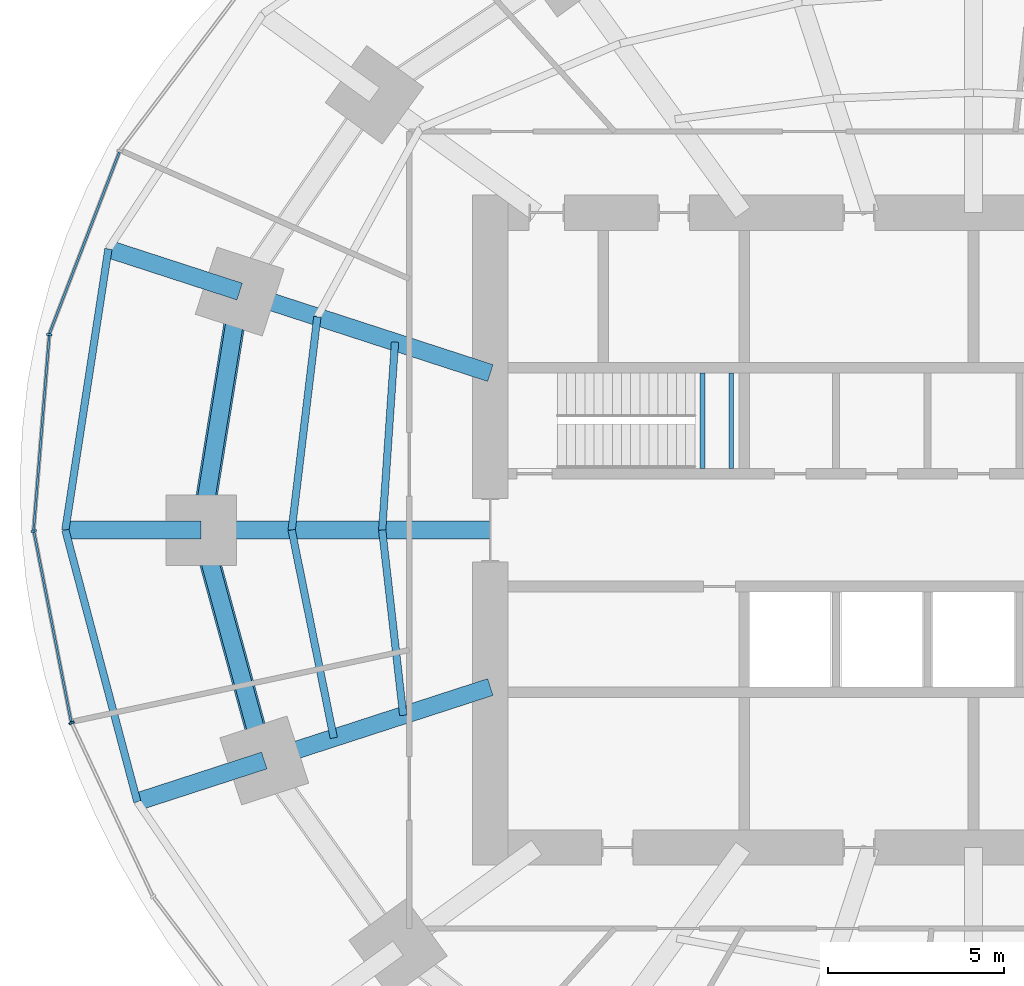
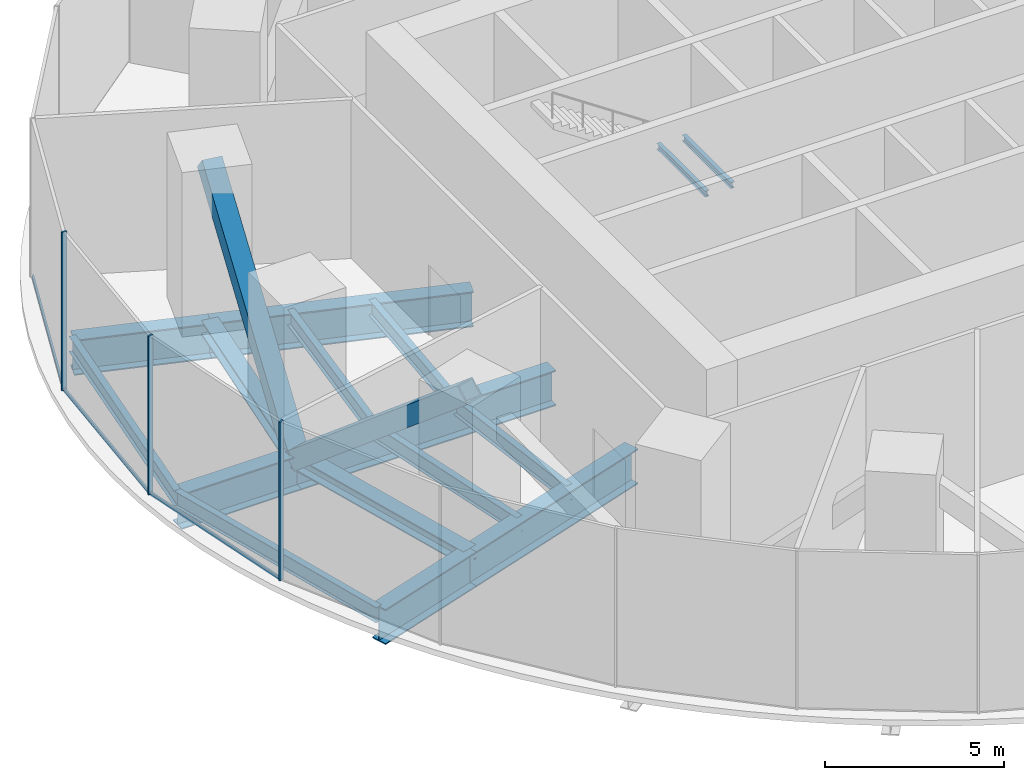
# One storey, part 4 of 13: 14 beams, 10 members, 2 elements without a shape of their own.
"""IFC4 building model written with IfcOpenShell, lengths in metres."""

from ifc_helpers import new_model, si_unit, direction, frame, origin, origin_2d, place, context, subcontext, project, spatial, rectangle, hollow_rectangle, i_section, extrude, material, material_profile, profile_set, type_object, element, aggregate, save


model = new_model("IFC4")

# Units and contexts
model_context = context("Model", 3, precision=1e-05, world=origin(), true_north=direction((0.0, 1.0)))
body_context = subcontext(model_context, "Body", "Model", "MODEL_VIEW")
ifc_project = project(units=[si_unit("LENGTHUNIT", "METRE"), si_unit("AREAUNIT", "SQUARE_METRE"), si_unit("VOLUMEUNIT", "CUBIC_METRE"), si_unit("PLANEANGLEUNIT", "RADIAN"), si_unit("MASSUNIT", "GRAM", prefix="KILO")], contexts=[model_context])

# Site, building, storey
site_placement = place(None, origin())
site = spatial("IfcSite", under=ifc_project, at=site_placement, CompositionType="ELEMENT")
building_placement = place(site_placement, origin())
building = spatial("IfcBuilding", under=site, at=building_placement, Name="Marramba Exchange Tower", CompositionType="ELEMENT")
storey_placement = place(building_placement, frame((0.0, 0.0, 86.800048828125)))
storey = spatial("IfcBuildingStorey", under=building, at=storey_placement, Name="L20", CompositionType="ELEMENT", Elevation=86.800048828125)

# Members
ifc_material_1 = material(Name="Steel AS/NZS 3679.2 grade 300", Category="steel")
ifc_material_profile_1 = material_profile(ifc_material_1, i_section(OverallWidth=0.5, OverallDepth=0.47998046875, WebThickness=0.0400390625, FlangeThickness=0.0400390625, at=origin_2d()), Name="500WC440")
ifc_profile_set_1 = profile_set([ifc_material_profile_1], Name="Steel AS/NZS 3679.2 grade 300")
member_type_1 = type_object("IfcMemberType", Name="Belt truss chord 500WC440", PredefinedType="CHORD", material=ifc_profile_set_1)
member_1_placement = place(storey_placement, frame((-20.808349609375, 6.760986328125, -0.43994140625), z_axis=(-0.159384865399, -0.987216523708, 0.0), x_axis=(0.987216523708, -0.159384865399, 0.0)))
element("IfcMember", 1, at=member_1_placement, inside=storey, type_object=member_type_1, Name="Belt chord L20 TC10-TC11", PredefinedType="CHORD", context=body_context, shape_type="SweptSolid", body=[
    extrude(i_section(OverallWidth=0.5, OverallDepth=0.47998046875, WebThickness=0.0400390625, FlangeThickness=0.0400390625, at=origin_2d()), origin(), (0.0, 0.0, 1.0), 6.8486328125),
])
member_2_placement = place(storey_placement, frame((-21.89990234375, 0.0, -0.43994140625), z_axis=(0.264291166956, -0.964442937176, 0.0), x_axis=(0.964442937176, 0.264291166956, 0.0)))
element("IfcMember", 2, at=member_2_placement, inside=storey, type_object=member_type_1, Name="Belt chord L20 TC11-TC12", PredefinedType="CHORD", context=body_context, shape_type="SweptSolid", body=[
    extrude(i_section(OverallWidth=0.5, OverallDepth=0.47998046875, WebThickness=0.0400390625, FlangeThickness=0.0400390625, at=origin_2d()), origin(), (0.0, 0.0, 1.0), 6.77490234375),
])
ifc_material_2 = material(Name="Steel AS/NZS 3678 grade 350", Category="steel")
ifc_material_profile_2 = material_profile(ifc_material_2, hollow_rectangle(XDim=0.60009765625, YDim=0.60009765625, WallThickness=0.0400390625, at=origin_2d()), Name="600x600x40BOX")
ifc_profile_set_2 = profile_set([ifc_material_profile_2], Name="Steel AS/NZS 3678 grade 350")
member_type_2 = type_object("IfcMemberType", Name="Belt truss diagonal 600x600x40BOX", PredefinedType="BRACE", material=ifc_profile_set_2)
member_3_placement = place(storey_placement, frame((-20.808349609375, 6.760986328125, 5.159912109375), z_axis=(-0.12338791563, -0.764254427988, -0.633001257168), x_axis=(0.987216523708, -0.159384865399, 0.0)))
element("IfcMember", 3, at=member_3_placement, inside=storey, type_object=member_type_2, Name="Belt truss BT20 diagonal 10", PredefinedType="BRACE", context=body_context, shape_type="SweptSolid", body=[
    extrude(hollow_rectangle(XDim=0.60009765625, YDim=0.60009765625, WallThickness=0.0400390625, at=origin_2d()), origin(), (0.0, 0.0, 1.0), 8.846435546875),
])
member_4_placement = place(storey_placement, frame((-21.89990234375, 0.0, -0.43994140625), z_axis=(0.203710300646, -0.743373162828, 0.637101604297), x_axis=(0.964442937176, 0.264291166956, 0.0)))
element("IfcMember", 4, at=member_4_placement, inside=storey, type_object=member_type_2, Name="Belt truss BT20 diagonal 11", PredefinedType="BRACE", context=body_context, shape_type="SweptSolid", body=[
    extrude(hollow_rectangle(XDim=0.60009765625, YDim=0.60009765625, WallThickness=0.0400390625, at=origin_2d()), origin(), (0.0, 0.0, 1.0), 8.78955078125),
])

# Beams
ifc_material_profile_3 = material_profile(ifc_material_1, i_section(OverallWidth=0.5, OverallDepth=1.199951171875, WebThickness=0.01611328125, FlangeThickness=0.0400390625, at=origin_2d()), Name="1200WB455")
ifc_profile_set_3 = profile_set([ifc_material_profile_3], Name="Steel AS/NZS 3679.2 grade 300")
beam_type_1 = type_object("IfcBeamType", Name="Cantilever girder 1200WB455", PredefinedType="BEAM", material=ifc_profile_set_3)
beam_1_placement = place(storey_placement, frame((-20.808349609375, 6.760986328125, -0.800048828125), z_axis=(-0.951058833549, 0.309009862508, 0.0), x_axis=(-0.309009862508, -0.951058833549, 0.0)))
element("IfcBeam", 5, at=beam_1_placement, inside=storey, type_object=beam_type_1, Name="Cantilever girder L20 TC10", PredefinedType="BEAM", context=body_context, shape_type="SweptSolid", body=[
    extrude(i_section(OverallWidth=0.5, OverallDepth=1.199951171875, WebThickness=0.01611328125, FlangeThickness=0.0400390625, at=origin_2d()), origin(), (0.0, 0.0, 1.0), 3.91162109375),
])
beam_2_placement = place(storey_placement, frame((-21.89990234375, 0.0, -0.800048828125), z_axis=(-1.0, 0.0, 0.0), x_axis=(0.0, -1.0, 0.0)))
element("IfcBeam", 6, at=beam_2_placement, inside=storey, type_object=beam_type_1, Name="Cantilever girder L20 TC11", PredefinedType="BEAM", context=body_context, shape_type="SweptSolid", body=[
    extrude(i_section(OverallWidth=0.5, OverallDepth=1.199951171875, WebThickness=0.01611328125, FlangeThickness=0.0400390625, at=origin_2d()), origin(), (0.0, 0.0, 1.0), 3.85009765625),
])
beam_3_placement = place(storey_placement, frame((-20.109375, -6.533935546875, -0.800048828125), z_axis=(-0.951048759501, -0.309040866314, 0.0), x_axis=(0.309040866314, -0.951048759501, 0.0)))
element("IfcBeam", 7, at=beam_3_placement, inside=storey, type_object=beam_type_1, Name="Cantilever girder L20 TC12", PredefinedType="BEAM", context=body_context, shape_type="SweptSolid", body=[
    extrude(i_section(OverallWidth=0.5, OverallDepth=1.199951171875, WebThickness=0.01611328125, FlangeThickness=0.0400390625, at=origin_2d()), origin(), (0.0, 0.0, 1.0), 3.78564453125),
])
ifc_material_3 = material(Name="Steel AS/NZS 3679.1 grade 300", Category="steel")
ifc_material_profile_4 = material_profile(ifc_material_3, i_section(OverallWidth=0.208984375, OverallDepth=0.532958984375, WebThickness=0.01025390625, FlangeThickness=0.015625, FilletRadius=0.013916015625, at=origin_2d()), Name="530UB92.4")
ifc_profile_set_4 = profile_set([ifc_material_profile_4], Name="Steel AS/NZS 3679.1 grade 300")
beam_type_2 = type_object("IfcBeamType", Name="Floor joist 530UB92.4", PredefinedType="JOIST", material=ifc_profile_set_4)
beam_4_placement = place(storey_placement, frame((-16.40283203125, 5.32958984375, -0.466552734375), z_axis=(-0.068096259546, -0.99767875563, 0.0), x_axis=(0.99767875563, -0.068096259546, 0.0)))
element("IfcBeam", 8, at=beam_4_placement, inside=storey, type_object=beam_type_2, Name="Joist L20 bay 10 row 1", PredefinedType="JOIST", context=body_context, shape_type="SweptSolid", body=[
    extrude(i_section(OverallWidth=0.208984375, OverallDepth=0.532958984375, WebThickness=0.01025390625, FlangeThickness=0.015625, FilletRadius=0.013916015625, at=origin_2d()), origin(), (0.0, 0.0, 1.0), 5.342041015625),
])
beam_5_placement = place(storey_placement, frame((-18.60546875, 6.04541015625, -0.466552734375), z_axis=(-0.119523078538, -0.992831422597, 0.0), x_axis=(0.992831422597, -0.119523078538, 0.0)))
element("IfcBeam", 9, at=beam_5_placement, inside=storey, type_object=beam_type_2, Name="Joist L20 bay 10 row 2", PredefinedType="JOIST", context=body_context, shape_type="SweptSolid", body=[
    extrude(i_section(OverallWidth=0.208984375, OverallDepth=0.532958984375, WebThickness=0.01025390625, FlangeThickness=0.015625, FilletRadius=0.013916015625, at=origin_2d()), origin(), (0.0, 0.0, 1.0), 6.089111328125),
])
beam_6_placement = place(storey_placement, frame((-16.7666015625, 0.0, -0.466552734375), z_axis=(0.112888968594, -0.993607609054, 0.0), x_axis=(0.993607609054, 0.112888968594, 0.0)))
element("IfcBeam", 10, at=beam_6_placement, inside=storey, type_object=beam_type_2, Name="Joist L20 bay 11 row 1", PredefinedType="JOIST", context=body_context, shape_type="SweptSolid", body=[
    extrude(i_section(OverallWidth=0.208984375, OverallDepth=0.532958984375, WebThickness=0.01025390625, FlangeThickness=0.015625, FilletRadius=0.013916015625, at=origin_2d()), origin(), (0.0, 0.0, 1.0), 5.28759765625),
])
beam_7_placement = place(storey_placement, frame((-19.333251953125, 0.0, -0.466552734375), z_axis=(0.198489047047, -0.980103105904, 0.0), x_axis=(0.980103105904, 0.198489047047, 0.0)))
element("IfcBeam", 11, at=beam_7_placement, inside=storey, type_object=beam_type_2, Name="Joist L20 bay 11 row 2", PredefinedType="JOIST", context=body_context, shape_type="SweptSolid", body=[
    extrude(i_section(OverallWidth=0.208984375, OverallDepth=0.532958984375, WebThickness=0.01025390625, FlangeThickness=0.015625, FilletRadius=0.013916015625, at=origin_2d()), origin(), (0.0, 0.0, 1.0), 6.013427734375),
])

# Curtain wall, member
ifc_material_4 = material(Name="Aluminium framing, bronze anodised", Category="aluminium")
curtain_wall_type = type_object("IfcCurtainWallType", Name="Plant floor louvred curtain wall", PredefinedType="USERDEFINED", material=ifc_material_4)
curtain_wall_1_placement = place(storey_placement, origin())
curtain_wall_1 = element("IfcCurtainWall", 12, at=curtain_wall_1_placement, inside=storey, type_object=curtain_wall_type, Name="Curtain wall CW6 L20 F11-F15", ObjectType="RIBBON CURTAIN WALL", PredefinedType="USERDEFINED")
ifc_material_5 = material(Name="Aluminium mullion, bronze anodised", Category="aluminium")
ifc_material_profile_5 = material_profile(ifc_material_5, rectangle(XDim=0.159912109375, YDim=0.06005859375, at=origin_2d()), Name="CW6 mullion 60x160")
ifc_profile_set_5 = profile_set([ifc_material_profile_5], Name="Aluminium mullion, bronze anodised")
member_type_3 = type_object("IfcMemberType", Name="Plant floor louvred curtain wall mullion", PredefinedType="MULLION", material=ifc_profile_set_5)
member_5_placement = place(storey_placement, frame((-26.203857421875, 5.539306640625, 0.0), z_axis=(0.0, 0.0, 1.0), x_axis=(0.996772736434, -0.080275225953, 0.0)))
member_5 = element("IfcMember", 13, at=member_5_placement, type_object=member_type_3, Name="CW6 mullion 1", PredefinedType="MULLION", context=body_context, shape_type="SweptSolid", body=[
    extrude(rectangle(XDim=0.159912109375, YDim=0.06005859375, at=origin_2d()), origin(), (0.0, 0.0, 1.0), 5.39990234375),
])

# Curtain wall, members
curtain_wall_2_placement = place(storey_placement, origin())
curtain_wall_2 = element("IfcCurtainWall", 14, at=curtain_wall_2_placement, inside=storey, type_object=curtain_wall_type, Name="Curtain wall CW6 L20 F16-F20", ObjectType="RIBBON CURTAIN WALL", PredefinedType="USERDEFINED")
member_6_placement = place(storey_placement, frame((-26.644287109375, -0.029541015625, 0.0), z_axis=(0.0, 0.0, 1.0), x_axis=(0.981346261612, 0.1922485756, 0.0)))
member_6 = element("IfcMember", 15, at=member_6_placement, type_object=member_type_3, Name="CW6 mullion 1", PredefinedType="MULLION", context=body_context, shape_type="SweptSolid", body=[
    extrude(rectangle(XDim=0.159912109375, YDim=0.06005859375, at=origin_2d()), origin(), (0.0, 0.0, 1.0), 5.39990234375),
])
member_7_placement = place(storey_placement, frame((-25.572021484375, -5.46533203125, 0.0), z_axis=(0.0, 0.0, 1.0), x_axis=(0.905906758768, 0.423477206492, 0.0)))
member_7 = element("IfcMember", 16, at=member_7_placement, type_object=member_type_3, Name="CW6 mullion 1", PredefinedType="MULLION", context=body_context, shape_type="SweptSolid", body=[
    extrude(rectangle(XDim=0.159912109375, YDim=0.06005859375, at=origin_2d()), origin(), (0.0, 0.0, 1.0), 5.39990234375),
])

# Member
ifc_material_6 = material(Name="Aluminium transom, bronze anodised", Category="aluminium")
ifc_material_profile_6 = material_profile(ifc_material_6, rectangle(XDim=0.06005859375, YDim=0.1201171875, at=origin_2d()), Name="CW6 transom 60x120")
ifc_profile_set_6 = profile_set([ifc_material_profile_6], Name="Aluminium transom, bronze anodised")
member_type_4 = type_object("IfcMemberType", Name="Plant floor louvred curtain wall transom", PredefinedType="USERDEFINED", material=ifc_profile_set_6)
member_8_placement = place(storey_placement, frame((-24.218017578125, 10.717041015625, 0.030029296875), z_axis=(-0.359533581349, -0.933132147063, 0.0), x_axis=(0.933132147063, -0.359533581349, 0.0)))
member_8 = element("IfcMember", 17, at=member_8_placement, type_object=member_type_4, Name="CW6 sill transom", ObjectType="TRANSOM", PredefinedType="USERDEFINED", context=body_context, shape_type="SweptSolid", body=[
    extrude(rectangle(XDim=0.06005859375, YDim=0.1201171875, at=origin_2d()), origin(), (0.0, 0.0, 1.0), 5.5166015625),
])

member_9_placement = place(storey_placement, frame((-26.206298828125, 5.509521484375, 0.030029296875), z_axis=(-0.080256075865, -0.996774278504, 0.0), x_axis=(0.996774278504, -0.080256075865, 0.0)))
member_9 = element("IfcMember", 18, at=member_9_placement, type_object=member_type_4, Name="CW6 sill transom", ObjectType="TRANSOM", PredefinedType="USERDEFINED", context=body_context, shape_type="SweptSolid", body=[
    extrude(rectangle(XDim=0.06005859375, YDim=0.1201171875, at=origin_2d()), origin(), (0.0, 0.0, 1.0), 5.52734375),
])

aggregate(curtain_wall_1, [member_8, member_5, member_9])

member_10_placement = place(storey_placement, frame((-26.638427734375, -0.058837890625, 0.030029296875), z_axis=(0.192226081646, -0.981350667975, 0.0), x_axis=(0.981350667975, 0.192226081646, 0.0)))
member_10 = element("IfcMember", 19, at=member_10_placement, type_object=member_type_4, Name="CW6 sill transom", ObjectType="TRANSOM", PredefinedType="USERDEFINED", context=body_context, shape_type="SweptSolid", body=[
    extrude(rectangle(XDim=0.06005859375, YDim=0.1201171875, at=origin_2d()), origin(), (0.0, 0.0, 1.0), 5.481689453125),
])

aggregate(curtain_wall_2, [member_6, member_10, member_7])

# Beams
ifc_material_profile_7 = material_profile(ifc_material_1, i_section(OverallWidth=0.5, OverallDepth=1.199951171875, WebThickness=0.01611328125, FlangeThickness=0.0400390625, at=origin_2d()), Name="1200WB455")
ifc_profile_set_7 = profile_set([ifc_material_profile_7], Name="Steel AS/NZS 3679.2 grade 300")
beam_type_3 = type_object("IfcBeamType", Name="Radial girder 1200WB455", PredefinedType="BEAM", material=ifc_profile_set_7)
beam_8_placement = place(storey_placement, frame((-13.699951171875, 4.451416015625, -0.800048828125), z_axis=(-0.951059990189, 0.309006302624, 0.0), x_axis=(-0.309006302624, -0.951059990189, 0.0)))
element("IfcBeam", 20, at=beam_8_placement, inside=storey, type_object=beam_type_3, Name="Radial girder L20 TC10", PredefinedType="BEAM", context=body_context, shape_type="SweptSolid", body=[
    extrude(i_section(OverallWidth=0.5, OverallDepth=1.199951171875, WebThickness=0.01611328125, FlangeThickness=0.0400390625, at=origin_2d()), origin(), (0.0, 0.0, 1.0), 7.47412109375),
])
beam_9_placement = place(storey_placement, frame((-13.699951171875, 0.0, -0.800048828125), z_axis=(-1.0, 0.0, 0.0), x_axis=(0.0, -1.0, 0.0)))
element("IfcBeam", 21, at=beam_9_placement, inside=storey, type_object=beam_type_3, Name="Radial girder L20 TC11", PredefinedType="BEAM", context=body_context, shape_type="SweptSolid", body=[
    extrude(i_section(OverallWidth=0.5, OverallDepth=1.199951171875, WebThickness=0.01611328125, FlangeThickness=0.0400390625, at=origin_2d()), origin(), (0.0, 0.0, 1.0), 8.199951171875),
])
beam_10_placement = place(storey_placement, frame((-13.699951171875, -4.451416015625, -0.800048828125), z_axis=(-0.951057759669, -0.309013167637, 0.0), x_axis=(0.309013167637, -0.951057759669, 0.0)))
element("IfcBeam", 22, at=beam_10_placement, inside=storey, type_object=beam_type_3, Name="Radial girder L20 TC12", PredefinedType="BEAM", context=body_context, shape_type="SweptSolid", body=[
    extrude(i_section(OverallWidth=0.5, OverallDepth=1.199951171875, WebThickness=0.01611328125, FlangeThickness=0.0400390625, at=origin_2d()), origin(), (0.0, 0.0, 1.0), 6.7392578125),
])
ifc_material_profile_8 = material_profile(ifc_material_3, i_section(OverallWidth=0.208984375, OverallDepth=0.528076171875, WebThickness=0.009521484375, FlangeThickness=0.01318359375, FilletRadius=0.013916015625, at=origin_2d()), Name="530UB82.0")
ifc_profile_set_8 = profile_set([ifc_material_profile_8], Name="Steel AS/NZS 3679.1 grade 300")
beam_type_4 = type_object("IfcBeamType", Name="Slab edge beam 530UB82.0", PredefinedType="SPANDREL", material=ifc_profile_set_8)
beam_11_placement = place(storey_placement, frame((-24.528564453125, 7.9697265625, -0.464111328125), z_axis=(-0.151490591645, -0.988458699513, 0.0), x_axis=(0.988458699513, -0.151490591645, 0.0)))
element("IfcBeam", 23, at=beam_11_placement, inside=storey, type_object=beam_type_4, Name="Slab edge beam L20 TC10-TC11", PredefinedType="SPANDREL", context=body_context, shape_type="SweptSolid", body=[
    extrude(i_section(OverallWidth=0.208984375, OverallDepth=0.528076171875, WebThickness=0.009521484375, FlangeThickness=0.01318359375, FilletRadius=0.013916015625, at=origin_2d()), origin(), (0.0, 0.0, 1.0), 8.062744140625),
])
beam_12_placement = place(storey_placement, frame((-25.75, 0.0, -0.464111328125), z_axis=(0.25601296674, -0.966673347549, 0.0), x_axis=(0.966673347549, 0.25601296674, 0.0)))
element("IfcBeam", 24, at=beam_12_placement, inside=storey, type_object=beam_type_4, Name="Slab edge beam L20 TC11-TC12", PredefinedType="SPANDREL", context=body_context, shape_type="SweptSolid", body=[
    extrude(i_section(OverallWidth=0.208984375, OverallDepth=0.528076171875, WebThickness=0.009521484375, FlangeThickness=0.01318359375, FilletRadius=0.013916015625, at=origin_2d()), origin(), (0.0, 0.0, 1.0), 7.969482421875),
])
ifc_material_profile_9 = material_profile(ifc_material_3, i_section(OverallWidth=0.133056640625, OverallDepth=0.202880859375, WebThickness=0.005859375, FlangeThickness=0.0078125, FilletRadius=0.0087890625, at=origin_2d()), Name="200UB25.4")
ifc_profile_set_9 = profile_set([ifc_material_profile_9], Name="Steel AS/NZS 3679.1 grade 300")
beam_type_5 = type_object("IfcBeamType", Name="Stair landing beam 200UB25.4", PredefinedType="BEAM", material=ifc_profile_set_9)
for number, where, z_axis, x_axis, name in (
    (25, (-7.68359375, 1.75, 2.49853515625), (0.0, 1.0, 0.0), (-1.0, 0.0, 0.0), "Stair landing beam SLB1 ST1 L20 1"),
    (26, (-6.866455078125, 1.75, 2.49853515625), (0.0, 1.0, 0.0), (-1.0, 0.0, 0.0), "Stair landing beam SLB1 ST1 L20 2"),
):
    element("IfcBeam", number, at=place(storey_placement, frame(where, z_axis=z_axis, x_axis=x_axis)), inside=storey, type_object=beam_type_5, Name=name, PredefinedType="BEAM", context=body_context, shape_type="SweptSolid", body=[
        extrude(i_section(OverallWidth=0.133056640625, OverallDepth=0.202880859375, WebThickness=0.005859375, FlangeThickness=0.0078125, FilletRadius=0.0087890625, at=origin_2d()), origin(), (0.0, 0.0, 1.0), 2.699951171875),
    ])

save(model, "model.ifc")
